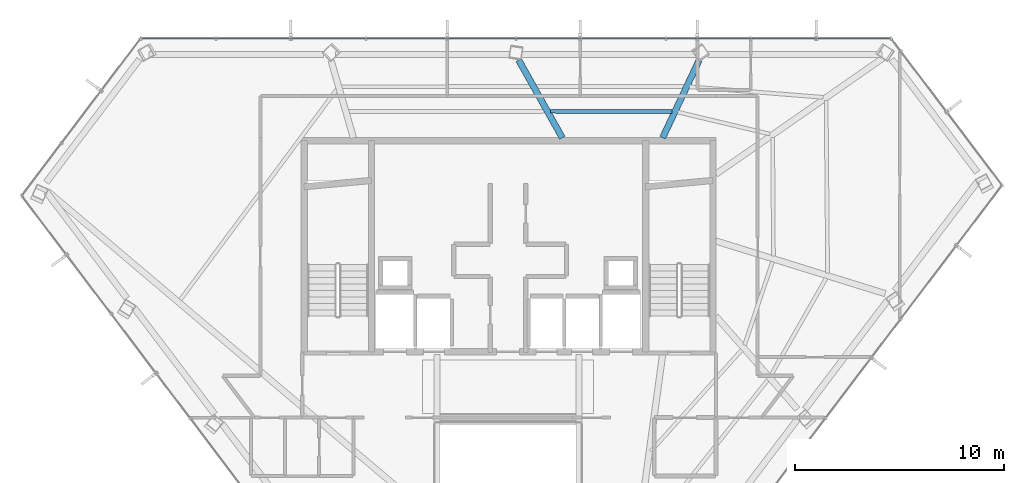
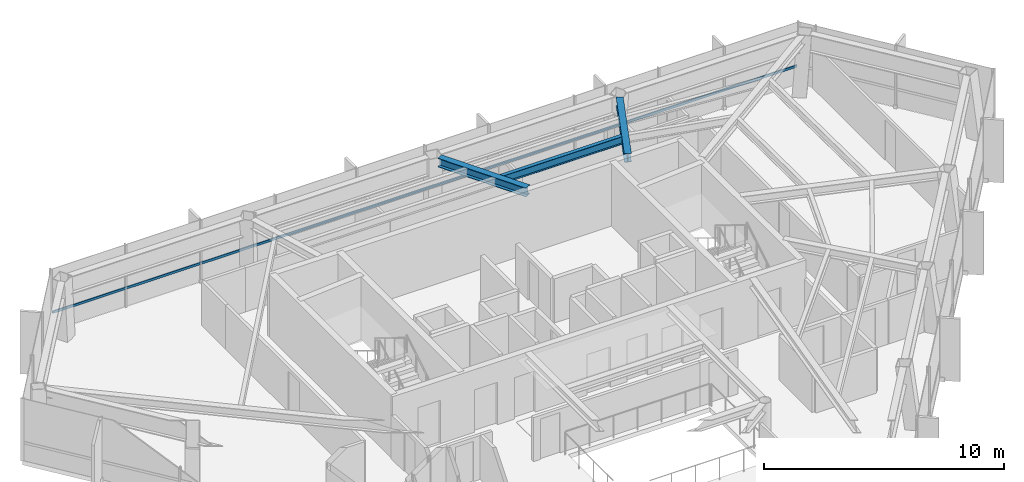
# One storey, part 15 of 27: 3 beams, 1 member, 1 element without a shape of its own.
"""IFC4 building model written with IfcOpenShell, lengths in metres."""

from ifc_helpers import new_model, si_unit, direction, frame, origin, origin_2d, place, context, subcontext, project, spatial, hollow_rectangle, i_section, extrude, material, layer, layer_set, material_profile, profile_set, type_object, element, aggregate, save


model = new_model("IFC4")

# Units and contexts
model_context = context("Model", 3, precision=1e-05, world=origin(), true_north=direction((0.0, 1.0)))
body_context = subcontext(model_context, "Body", "Model", "MODEL_VIEW")
ifc_project = project(units=[si_unit("LENGTHUNIT", "METRE"), si_unit("AREAUNIT", "SQUARE_METRE"), si_unit("VOLUMEUNIT", "CUBIC_METRE"), si_unit("PLANEANGLEUNIT", "RADIAN"), si_unit("MASSUNIT", "GRAM", prefix="KILO")], contexts=[model_context])

# Site, building, storey
site_placement = place(None, origin())
site = spatial("IfcSite", under=ifc_project, at=site_placement, CompositionType="ELEMENT")
building_placement = place(site_placement, origin())
building = spatial("IfcBuilding", under=site, at=building_placement, Name="Zarrinselat Tower", CompositionType="ELEMENT")
storey_placement = place(building_placement, frame((0.0, 0.0, 225.760009765625)))
storey = spatial("IfcBuildingStorey", under=building, at=storey_placement, Name="L56", CompositionType="ELEMENT", Elevation=225.760009765625)

# Beams
ifc_material_1 = material(Name="Steel S355J2", Category="steel")
ifc_material_profile_1 = material_profile(ifc_material_1, i_section(OverallWidth=0.300048828125, OverallDepth=0.449951171875, WebThickness=0.013916015625, FlangeThickness=0.02587890625, at=origin_2d()), Name="HEB 450")
ifc_profile_set_1 = profile_set([ifc_material_profile_1], Name="Steel S355J2")
beam_type_1 = type_object("IfcBeamType", Name="BM-HEB450", PredefinedType="BEAM", material=ifc_profile_set_1)
beam_1_placement = place(storey_placement, frame((45.800048828125, 43.5400390625, 2.955078125), z_axis=(0.425991754622, 0.904727044469, 0.0), x_axis=(-0.904727044469, 0.425991754622, 0.0)))
element("IfcBeam", 1, at=beam_1_placement, inside=storey, type_object=beam_type_1, Name="L56 Radial Primary Girder RG02", PredefinedType="BEAM", context=body_context, shape_type="SweptSolid", body=[
    extrude(i_section(OverallWidth=0.300048828125, OverallDepth=0.449951171875, WebThickness=0.013916015625, FlangeThickness=0.02587890625, at=origin_2d()), origin(), (0.0, 0.0, 1.0), 4.105712890625),
])
beam_2_placement = place(storey_placement, frame((38.9111328125, 47.264404296875, 2.955078125), z_axis=(0.489177785109, -0.872184094418, 0.0), x_axis=(0.872184094418, 0.489177785109, 0.0)))
element("IfcBeam", 2, at=beam_2_placement, inside=storey, type_object=beam_type_1, Name="L56 Radial Primary Girder RG03", PredefinedType="BEAM", context=body_context, shape_type="SweptSolid", body=[
    extrude(i_section(OverallWidth=0.300048828125, OverallDepth=0.449951171875, WebThickness=0.013916015625, FlangeThickness=0.02587890625, at=origin_2d()), origin(), (0.0, 0.0, 1.0), 4.270263671875),
])
ifc_material_2 = material(Name="Steel S355J2", Category="steel")
ifc_material_profile_2 = material_profile(ifc_material_2, i_section(OverallWidth=0.179931640625, OverallDepth=0.39990234375, WebThickness=0.008544921875, FlangeThickness=0.013427734375, at=origin_2d()), Name="IPE 400")
ifc_profile_set_2 = profile_set([ifc_material_profile_2], Name="Steel S355J2")
beam_type_2 = type_object("IfcBeamType", Name="BM-IPE400", PredefinedType="JOIST", material=ifc_profile_set_2)
beam_3_placement = place(storey_placement, frame((40.4296875, 44.80615234375, 2.97998046875), z_axis=(0.99999985156, -0.000544867684, 0.0), x_axis=(0.000544867684, 0.99999985156, 0.0)))
element("IfcBeam", 3, at=beam_3_placement, inside=storey, type_object=beam_type_2, Name="L56 Composite Floor Joist 7-2", PredefinedType="JOIST", context=body_context, shape_type="SweptSolid", body=[
    extrude(i_section(OverallWidth=0.179931640625, OverallDepth=0.39990234375, WebThickness=0.008544921875, FlangeThickness=0.013427734375, at=origin_2d()), origin(), (0.0, 0.0, 1.0), 5.824951171875),
])

# Curtain wall, member
ifc_material_3 = material(Name="Extruded Aluminium Alloy EN AW-6063 T6", Category="aluminium")
ifc_layer = layer(ifc_material_3, 0.169921875)
ifc_layer_set = layer_set([ifc_layer], Name="Extruded Aluminium Alloy EN AW-6063 T6")
curtain_wall_type = type_object("IfcCurtainWallType", Name="CWS-RES", PredefinedType="NOTDEFINED", material=ifc_layer_set)
curtain_wall_placement = place(storey_placement, origin())
curtain_wall = element("IfcCurtainWall", 4, at=curtain_wall_placement, inside=storey, type_object=curtain_wall_type, Name="L56 Unitised Curtain Wall CW-L56-E01", PredefinedType="NOTDEFINED")
ifc_material_4 = material(Name="Extruded Aluminium Alloy EN AW-6063 T6", Category="aluminium")
ifc_material_profile_3 = material_profile(ifc_material_4, hollow_rectangle(XDim=0.06005859375, YDim=0.1201171875, WallThickness=0.00390625, at=origin_2d()), Name="RHS 120x60x4")
ifc_profile_set_3 = profile_set([ifc_material_profile_3], Name="Extruded Aluminium Alloy EN AW-6063 T6")
member_type = type_object("IfcMemberType", Name="MEM-CW-TRN2", PredefinedType="USERDEFINED", material=ifc_profile_set_3)
member_placement = place(storey_placement, frame((56.6494140625, 48.29443359375, 0.949951171875), z_axis=(-1.0, 0.0, 0.0), x_axis=(0.0, -1.0, 0.0)))
member = element("IfcMember", 5, at=member_placement, type_object=member_type, Name="CW-L56-E01 Transom 1", ObjectType="TRANSOM", PredefinedType="USERDEFINED", context=body_context, shape_type="SweptSolid", body=[
    extrude(hollow_rectangle(XDim=0.06005859375, YDim=0.1201171875, WallThickness=0.00390625, at=origin_2d()), origin(), (0.0, 0.0, 1.0), 35.73388671875),
])
aggregate(curtain_wall, [member])

save(model, "model.ifc")
